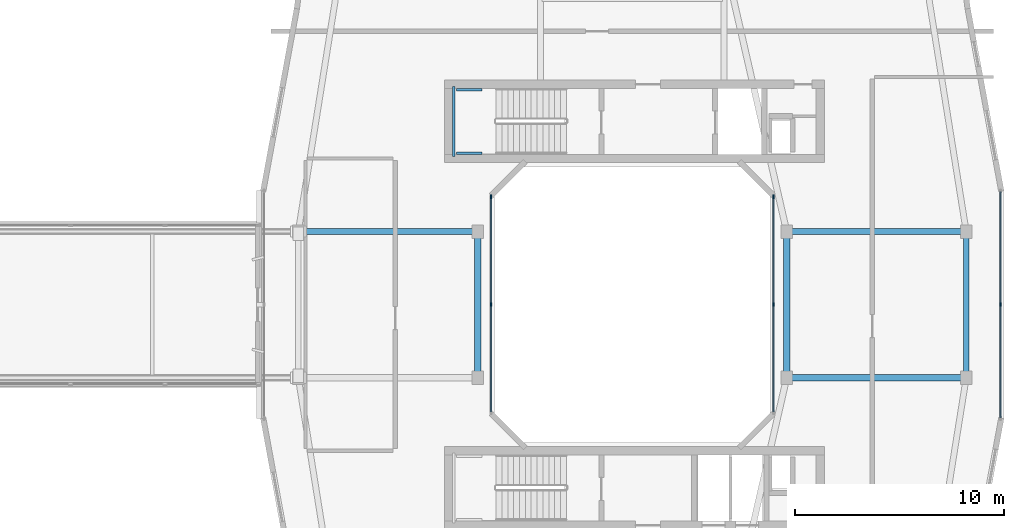
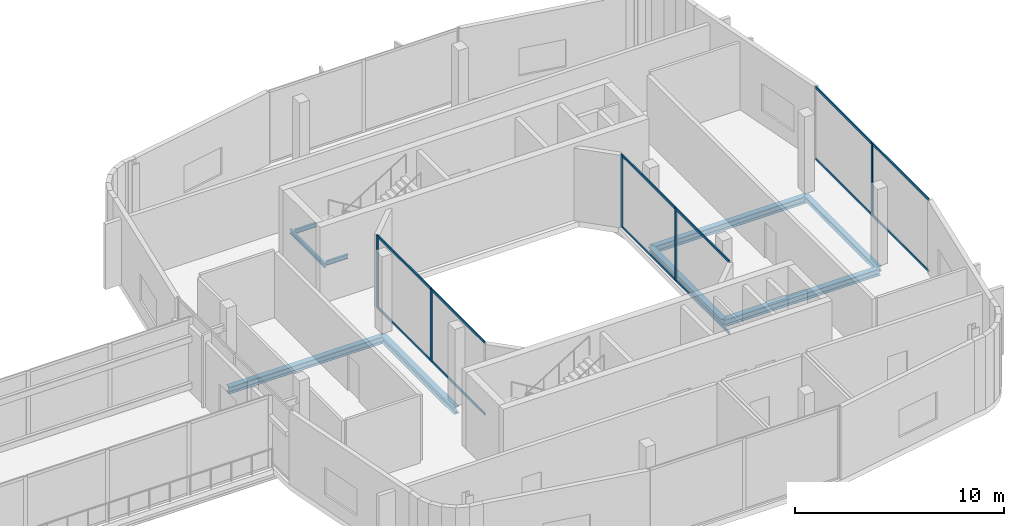
# One storey, part 10 of 24: 17 members, 9 beams, 3 elements without a shape of their own.
"""IFC4 building model written with IfcOpenShell, lengths in metres."""

from ifc_helpers import new_model, si_unit, derived_unit, direction, frame, origin, origin_2d, place, context, subcontext, project, spatial, rectangle, i_section, extrude, material, layer, layer_set, material_profile, profile_set, type_object, element, aggregate, save


model = new_model("IFC4")

# Units and contexts
model_context = context("Model", 3, precision=1e-05, world=origin(), true_north=direction((0.0, 1.0)))
body_context = subcontext(model_context, "Body", "Model", "MODEL_VIEW")
ifc_project = project(units=[si_unit("LENGTHUNIT", "METRE"), si_unit("AREAUNIT", "SQUARE_METRE"), si_unit("VOLUMEUNIT", "CUBIC_METRE"), si_unit("PLANEANGLEUNIT", "RADIAN"), si_unit("MASSUNIT", "GRAM", prefix="KILO"), derived_unit("THERMALTRANSMITTANCEUNIT", [(si_unit("POWERUNIT", "WATT"), 1), (si_unit("LENGTHUNIT", "METRE"), -2), (si_unit("THERMODYNAMICTEMPERATUREUNIT", "KELVIN"), -1)])], contexts=[model_context])

# Site, building, storey
site_placement = place(None, origin())
site = spatial("IfcSite", under=ifc_project, at=site_placement, CompositionType="ELEMENT")
building_placement = place(site_placement, origin())
building = spatial("IfcBuilding", under=site, at=building_placement, Name="Kivonza Crest Hotel", CompositionType="ELEMENT")
storey_placement = place(building_placement, frame((0.0, 0.0, 119.5)))
storey = spatial("IfcBuildingStorey", under=building, at=storey_placement, Name="L32", CompositionType="ELEMENT", Elevation=119.5)

# Beams
ifc_material_1 = material(Name="Steel S355", Category="steel")
ifc_material_profile_1 = material_profile(ifc_material_1, i_section(OverallWidth=0.280029296875, OverallDepth=0.280029296875, WebThickness=0.010498046875, FlangeThickness=0.01806640625, FilletRadius=0.02392578125, at=origin_2d()), Name="HEB 280")
ifc_profile_set_1 = profile_set([ifc_material_profile_1], Name="Steel S355")
beam_type_1 = type_object("IfcBeamType", Name="BM-HEB280", PredefinedType="SPANDREL", material=ifc_profile_set_1)
beam_1_placement = place(storey_placement, frame((93.0, 21.5, -0.4599609375), z_axis=(0.0, 1.0, 0.0), x_axis=(-1.0, 0.0, 0.0)))
element("IfcBeam", 1, at=beam_1_placement, inside=storey, type_object=beam_type_1, Name="Companion Tower T2 L32 perimeter spandrel E1-E2", PredefinedType="SPANDREL", context=body_context, shape_type="SweptSolid", body=[
    extrude(i_section(OverallWidth=0.280029296875, OverallDepth=0.280029296875, WebThickness=0.010498046875, FlangeThickness=0.01806640625, FilletRadius=0.02392578125, at=origin_2d()), origin(), (0.0, 0.0, 1.0), 7.0),
])
ifc_material_profile_2 = material_profile(ifc_material_1, i_section(OverallWidth=0.300048828125, OverallDepth=0.39990234375, WebThickness=0.013427734375, FlangeThickness=0.02392578125, FilletRadius=0.027099609375, at=origin_2d()), Name="HEB 400")
ifc_profile_set_2 = profile_set([ifc_material_profile_2], Name="Steel S355")
beam_type_2 = type_object("IfcBeamType", Name="BM-HEB400", PredefinedType="BEAM", material=ifc_profile_set_2)
beam_2_placement = place(storey_placement, frame((61.0, 28.5, -0.52001953125), z_axis=(1.0, 0.0, 0.0), x_axis=(0.0, 1.0, 0.0)))
element("IfcBeam", 2, at=beam_2_placement, inside=storey, type_object=beam_type_2, Name="Companion Tower T2 L32 girder W2-WL2", PredefinedType="BEAM", context=body_context, shape_type="SweptSolid", body=[
    extrude(i_section(OverallWidth=0.300048828125, OverallDepth=0.39990234375, WebThickness=0.013427734375, FlangeThickness=0.02392578125, FilletRadius=0.027099609375, at=origin_2d()), origin(), (0.0, 0.0, 1.0), 8.60009765625),
])
beam_3_placement = place(storey_placement, frame((69.60009765625, 21.5, -0.52001953125), z_axis=(0.0, 1.0, 0.0), x_axis=(-1.0, 0.0, 0.0)))
element("IfcBeam", 3, at=beam_3_placement, inside=storey, type_object=beam_type_2, Name="Companion Tower T2 L32 girder WL1-WL2", PredefinedType="BEAM", context=body_context, shape_type="SweptSolid", body=[
    extrude(i_section(OverallWidth=0.300048828125, OverallDepth=0.39990234375, WebThickness=0.013427734375, FlangeThickness=0.02392578125, FilletRadius=0.027099609375, at=origin_2d()), origin(), (0.0, 0.0, 1.0), 7.0),
])
for number, where, z_axis, x_axis, name in (
    (4, (84.39990234375, 21.5, -0.52001953125), (1.0, 0.0, 0.0), (0.0, 1.0, 0.0), "Companion Tower T2 L32 girder WR1-E1"),
    (5, (84.39990234375, 28.5, -0.52001953125), (1.0, 0.0, 0.0), (0.0, 1.0, 0.0), "Companion Tower T2 L32 girder WR2-E2"),
):
    element("IfcBeam", number, at=place(storey_placement, frame(where, z_axis=z_axis, x_axis=x_axis)), inside=storey, type_object=beam_type_2, Name=name, PredefinedType="BEAM", context=body_context, shape_type="SweptSolid", body=[
        extrude(i_section(OverallWidth=0.300048828125, OverallDepth=0.39990234375, WebThickness=0.013427734375, FlangeThickness=0.02392578125, FilletRadius=0.027099609375, at=origin_2d()), origin(), (0.0, 0.0, 1.0), 8.60009765625),
    ])
beam_4_placement = place(storey_placement, frame((84.39990234375, 21.5, -0.52001953125), z_axis=(0.0, 1.0, 0.0), x_axis=(-1.0, 0.0, 0.0)))
element("IfcBeam", 6, at=beam_4_placement, inside=storey, type_object=beam_type_2, Name="Companion Tower T2 L32 girder WR1-WR2", PredefinedType="BEAM", context=body_context, shape_type="SweptSolid", body=[
    extrude(i_section(OverallWidth=0.300048828125, OverallDepth=0.39990234375, WebThickness=0.013427734375, FlangeThickness=0.02392578125, FilletRadius=0.027099609375, at=origin_2d()), origin(), (0.0, 0.0, 1.0), 7.0),
])
ifc_material_profile_3 = material_profile(ifc_material_1, i_section(OverallWidth=0.1201171875, OverallDepth=0.239990234375, WebThickness=0.006103515625, FlangeThickness=0.009765625, FilletRadius=0.014892578125, at=origin_2d()), Name="IPE 240")
ifc_profile_set_3 = profile_set([ifc_material_profile_3], Name="Steel S355")
beam_type_3 = type_object("IfcBeamType", Name="BM-LLDG-240", PredefinedType="BEAM", material=ifc_profile_set_3)
beam_5_placement = place(storey_placement, frame((68.4599609375, 32.10009765625, 1.929931640625), z_axis=(0.0, 1.0, 0.0), x_axis=(-1.0, 0.0, 0.0)))
element("IfcBeam", 7, at=beam_5_placement, inside=storey, type_object=beam_type_3, Name="Stair ST-T2-N L32 West landing corbel", PredefinedType="BEAM", context=body_context, shape_type="SweptSolid", body=[
    extrude(i_section(OverallWidth=0.1201171875, OverallDepth=0.239990234375, WebThickness=0.006103515625, FlangeThickness=0.009765625, FilletRadius=0.014892578125, at=origin_2d()), origin(), (0.0, 0.0, 1.0), 3.35986328125),
])
for number, where, z_axis, x_axis, name in (
    (8, (68.590087890625, 32.260009765625, 1.929931640625), (1.0, 0.0, 0.0), (0.0, 1.0, 0.0), "Stair ST-T2-N L32 South landing corbel"),
    (9, (68.590087890625, 35.300048828125, 1.929931640625), (1.0, 0.0, 0.0), (0.0, 1.0, 0.0), "Stair ST-T2-N L32 North landing corbel"),
):
    element("IfcBeam", number, at=place(storey_placement, frame(where, z_axis=z_axis, x_axis=x_axis)), inside=storey, type_object=beam_type_3, Name=name, PredefinedType="BEAM", context=body_context, shape_type="SweptSolid", body=[
        extrude(i_section(OverallWidth=0.1201171875, OverallDepth=0.239990234375, WebThickness=0.006103515625, FlangeThickness=0.009765625, FilletRadius=0.014892578125, at=origin_2d()), origin(), (0.0, 0.0, 1.0), 1.2099609375),
    ])

# Curtain wall, member
ifc_material_2 = material(Name="Anodised bronze aluminium and low-E double glazing", Category="aluminium")
ifc_layer_1 = layer(ifc_material_2, 0.179931640625)
ifc_layer_set_1 = layer_set([ifc_layer_1], Name="Anodised bronze aluminium and low-E double glazing")
curtain_wall_type_1 = type_object("IfcCurtainWallType", Name="CW-SYS-4", PredefinedType="NOTDEFINED", material=ifc_layer_set_1)
curtain_wall_1_placement = place(storey_placement, origin())
curtain_wall_1 = element("IfcCurtainWall", 10, at=curtain_wall_1_placement, inside=storey, type_object=curtain_wall_type_1, Name="L32 unitised curtain wall CW-T2-L32-17", PredefinedType="NOTDEFINED")
ifc_material_3 = material(Name="Anodised bronze aluminium", Category="aluminium")
ifc_material_profile_4 = material_profile(ifc_material_3, rectangle(XDim=0.06494140625, YDim=0.179931640625, at=origin_2d()), Name="CW-M 65x180")
ifc_profile_set_4 = profile_set([ifc_material_profile_4], Name="Anodised bronze aluminium")
member_type_1 = type_object("IfcMemberType", Name="CW-MUL-65x180", PredefinedType="MULLION", material=ifc_profile_set_4)
member_1_placement = place(storey_placement, frame((94.639892578125, 25.0, 0.0), z_axis=(0.0, 0.0, 1.0), x_axis=(-1.0, 0.0, 0.0)))
member_1 = element("IfcMember", 11, at=member_1_placement, type_object=member_type_1, Name="CW-4 mullion 2", PredefinedType="MULLION", context=body_context, shape_type="SweptSolid", body=[
    extrude(rectangle(XDim=0.06494140625, YDim=0.179931640625, at=origin_2d()), origin(), (0.0, 0.0, 1.0), 4.25),
])

# Curtain wall, members
ifc_layer_2 = layer(ifc_material_2, 0.159912109375)
ifc_layer_set_2 = layer_set([ifc_layer_2], Name="Anodised bronze aluminium and low-E double glazing")
curtain_wall_type_2 = type_object("IfcCurtainWallType", Name="CW-SYS-5", PredefinedType="NOTDEFINED", material=ifc_layer_set_2)
curtain_wall_2_placement = place(storey_placement, origin())
curtain_wall_2 = element("IfcCurtainWall", 12, at=curtain_wall_2_placement, inside=storey, type_object=curtain_wall_type_2, Name="L32 unitised curtain wall CW-WELL-T2-L32-3", PredefinedType="NOTDEFINED")
member_2_placement = place(storey_placement, frame((83.760009765625, 25.0, 0.0), z_axis=(0.0, 0.0, 1.0), x_axis=(-1.0, 0.0, 0.0)))
member_2 = element("IfcMember", 13, at=member_2_placement, type_object=member_type_1, Name="CW-5 mullion 2", PredefinedType="MULLION", context=body_context, shape_type="SweptSolid", body=[
    extrude(rectangle(XDim=0.06494140625, YDim=0.179931640625, at=origin_2d()), origin(), (0.0, 0.0, 1.0), 4.25),
])
member_3_placement = place(storey_placement, frame((83.760009765625, 30.16748046875, 0.0), z_axis=(0.0, 0.0, 1.0), x_axis=(-1.0, 0.0, 0.0)))
member_3 = element("IfcMember", 14, at=member_3_placement, type_object=member_type_1, Name="CW-5 mullion 3", PredefinedType="MULLION", context=body_context, shape_type="SweptSolid", body=[
    extrude(rectangle(XDim=0.06494140625, YDim=0.179931640625, at=origin_2d()), origin(), (0.0, 0.0, 1.0), 4.25),
])

curtain_wall_3_placement = place(storey_placement, origin())
curtain_wall_3 = element("IfcCurtainWall", 15, at=curtain_wall_3_placement, inside=storey, type_object=curtain_wall_type_2, Name="L32 unitised curtain wall CW-WELL-T2-L32-7", PredefinedType="NOTDEFINED")
member_4_placement = place(storey_placement, frame((70.239990234375, 30.16748046875, 0.0), z_axis=(0.0, 0.0, 1.0), x_axis=(1.0, 0.0, 0.0)))
member_4 = element("IfcMember", 16, at=member_4_placement, type_object=member_type_1, Name="CW-5 mullion 1", PredefinedType="MULLION", context=body_context, shape_type="SweptSolid", body=[
    extrude(rectangle(XDim=0.06494140625, YDim=0.179931640625, at=origin_2d()), origin(), (0.0, 0.0, 1.0), 4.25),
])
member_5_placement = place(storey_placement, frame((70.239990234375, 25.0, 0.0), z_axis=(0.0, 0.0, 1.0), x_axis=(1.0, 0.0, 0.0)))
member_5 = element("IfcMember", 17, at=member_5_placement, type_object=member_type_1, Name="CW-5 mullion 2", PredefinedType="MULLION", context=body_context, shape_type="SweptSolid", body=[
    extrude(rectangle(XDim=0.06494140625, YDim=0.179931640625, at=origin_2d()), origin(), (0.0, 0.0, 1.0), 4.25),
])

# Member
ifc_material_profile_5 = material_profile(ifc_material_3, rectangle(XDim=0.06494140625, YDim=0.139892578125, at=origin_2d()), Name="CW-T 65x140")
ifc_profile_set_5 = profile_set([ifc_material_profile_5], Name="Anodised bronze aluminium")
member_type_2 = type_object("IfcMemberType", Name="CW-TRN-65x140", PredefinedType="USERDEFINED", material=ifc_profile_set_5)
member_6_placement = place(storey_placement, frame((94.639892578125, 19.5849609375, 0.032470703125), z_axis=(0.0, 1.0, 0.0), x_axis=(-1.0, 0.0, 0.0)))
member_6 = element("IfcMember", 18, at=member_6_placement, type_object=member_type_2, Name="CW-4 transom 1.1", ObjectType="TRANSOM", PredefinedType="USERDEFINED", context=body_context, shape_type="SweptSolid", body=[
    extrude(rectangle(XDim=0.06494140625, YDim=0.139892578125, at=origin_2d()), origin(), (0.0, 0.0, 1.0), 5.382568359375),
])

member_7_placement = place(storey_placement, frame((94.639892578125, 19.5849609375, 4.217529296875), z_axis=(0.0, 1.0, 0.0), x_axis=(-1.0, 0.0, 0.0)))
member_7 = element("IfcMember", 19, at=member_7_placement, type_object=member_type_2, Name="CW-4 transom 1.2", ObjectType="TRANSOM", PredefinedType="USERDEFINED", context=body_context, shape_type="SweptSolid", body=[
    extrude(rectangle(XDim=0.06494140625, YDim=0.139892578125, at=origin_2d()), origin(), (0.0, 0.0, 1.0), 5.382568359375),
])

member_8_placement = place(storey_placement, frame((94.639892578125, 25.032470703125, 0.032470703125), z_axis=(0.0, 1.0, 0.0), x_axis=(-1.0, 0.0, 0.0)))
member_8 = element("IfcMember", 20, at=member_8_placement, type_object=member_type_2, Name="CW-4 transom 2.1", ObjectType="TRANSOM", PredefinedType="USERDEFINED", context=body_context, shape_type="SweptSolid", body=[
    extrude(rectangle(XDim=0.06494140625, YDim=0.139892578125, at=origin_2d()), origin(), (0.0, 0.0, 1.0), 5.382568359375),
])

member_9_placement = place(storey_placement, frame((94.639892578125, 25.032470703125, 4.217529296875), z_axis=(0.0, 1.0, 0.0), x_axis=(-1.0, 0.0, 0.0)))
member_9 = element("IfcMember", 21, at=member_9_placement, type_object=member_type_2, Name="CW-4 transom 2.2", ObjectType="TRANSOM", PredefinedType="USERDEFINED", context=body_context, shape_type="SweptSolid", body=[
    extrude(rectangle(XDim=0.06494140625, YDim=0.139892578125, at=origin_2d()), origin(), (0.0, 0.0, 1.0), 5.382568359375),
])

aggregate(curtain_wall_1, [member_1, member_6, member_7, member_8, member_9])

member_10_placement = place(storey_placement, frame((83.760009765625, 19.864990234375, 0.032470703125), z_axis=(0.0, 1.0, 0.0), x_axis=(-1.0, 0.0, 0.0)))
member_10 = element("IfcMember", 22, at=member_10_placement, type_object=member_type_2, Name="CW-5 transom 1.1", ObjectType="TRANSOM", PredefinedType="USERDEFINED", context=body_context, shape_type="SweptSolid", body=[
    extrude(rectangle(XDim=0.06494140625, YDim=0.139892578125, at=origin_2d()), origin(), (0.0, 0.0, 1.0), 5.1025390625),
])

member_11_placement = place(storey_placement, frame((83.760009765625, 19.864990234375, 4.217529296875), z_axis=(0.0, 1.0, 0.0), x_axis=(-1.0, 0.0, 0.0)))
member_11 = element("IfcMember", 23, at=member_11_placement, type_object=member_type_2, Name="CW-5 transom 1.2", ObjectType="TRANSOM", PredefinedType="USERDEFINED", context=body_context, shape_type="SweptSolid", body=[
    extrude(rectangle(XDim=0.06494140625, YDim=0.139892578125, at=origin_2d()), origin(), (0.0, 0.0, 1.0), 5.1025390625),
])

member_12_placement = place(storey_placement, frame((83.760009765625, 25.032470703125, 0.032470703125), z_axis=(0.0, 1.0, 0.0), x_axis=(-1.0, 0.0, 0.0)))
member_12 = element("IfcMember", 24, at=member_12_placement, type_object=member_type_2, Name="CW-5 transom 2.1", ObjectType="TRANSOM", PredefinedType="USERDEFINED", context=body_context, shape_type="SweptSolid", body=[
    extrude(rectangle(XDim=0.06494140625, YDim=0.139892578125, at=origin_2d()), origin(), (0.0, 0.0, 1.0), 5.1025390625),
])

member_13_placement = place(storey_placement, frame((83.760009765625, 25.032470703125, 4.217529296875), z_axis=(0.0, 1.0, 0.0), x_axis=(-1.0, 0.0, 0.0)))
member_13 = element("IfcMember", 25, at=member_13_placement, type_object=member_type_2, Name="CW-5 transom 2.2", ObjectType="TRANSOM", PredefinedType="USERDEFINED", context=body_context, shape_type="SweptSolid", body=[
    extrude(rectangle(XDim=0.06494140625, YDim=0.139892578125, at=origin_2d()), origin(), (0.0, 0.0, 1.0), 5.1025390625),
])

aggregate(curtain_wall_2, [member_2, member_3, member_10, member_11, member_12, member_13])

member_14_placement = place(storey_placement, frame((70.239990234375, 30.135009765625, 0.032470703125), z_axis=(0.0, -1.0, 0.0), x_axis=(1.0, 0.0, 0.0)))
member_14 = element("IfcMember", 26, at=member_14_placement, type_object=member_type_2, Name="CW-5 transom 1.1", ObjectType="TRANSOM", PredefinedType="USERDEFINED", context=body_context, shape_type="SweptSolid", body=[
    extrude(rectangle(XDim=0.06494140625, YDim=0.139892578125, at=origin_2d()), origin(), (0.0, 0.0, 1.0), 5.1025390625),
])

member_15_placement = place(storey_placement, frame((70.239990234375, 30.135009765625, 4.217529296875), z_axis=(0.0, -1.0, 0.0), x_axis=(1.0, 0.0, 0.0)))
member_15 = element("IfcMember", 27, at=member_15_placement, type_object=member_type_2, Name="CW-5 transom 1.2", ObjectType="TRANSOM", PredefinedType="USERDEFINED", context=body_context, shape_type="SweptSolid", body=[
    extrude(rectangle(XDim=0.06494140625, YDim=0.139892578125, at=origin_2d()), origin(), (0.0, 0.0, 1.0), 5.1025390625),
])

member_16_placement = place(storey_placement, frame((70.239990234375, 24.967529296875, 0.032470703125), z_axis=(0.0, -1.0, 0.0), x_axis=(1.0, 0.0, 0.0)))
member_16 = element("IfcMember", 28, at=member_16_placement, type_object=member_type_2, Name="CW-5 transom 2.1", ObjectType="TRANSOM", PredefinedType="USERDEFINED", context=body_context, shape_type="SweptSolid", body=[
    extrude(rectangle(XDim=0.06494140625, YDim=0.139892578125, at=origin_2d()), origin(), (0.0, 0.0, 1.0), 5.1025390625),
])

member_17_placement = place(storey_placement, frame((70.239990234375, 24.967529296875, 4.217529296875), z_axis=(0.0, -1.0, 0.0), x_axis=(1.0, 0.0, 0.0)))
member_17 = element("IfcMember", 29, at=member_17_placement, type_object=member_type_2, Name="CW-5 transom 2.2", ObjectType="TRANSOM", PredefinedType="USERDEFINED", context=body_context, shape_type="SweptSolid", body=[
    extrude(rectangle(XDim=0.06494140625, YDim=0.139892578125, at=origin_2d()), origin(), (0.0, 0.0, 1.0), 5.1025390625),
])

aggregate(curtain_wall_3, [member_4, member_5, member_14, member_15, member_16, member_17])

save(model, "model.ifc")
